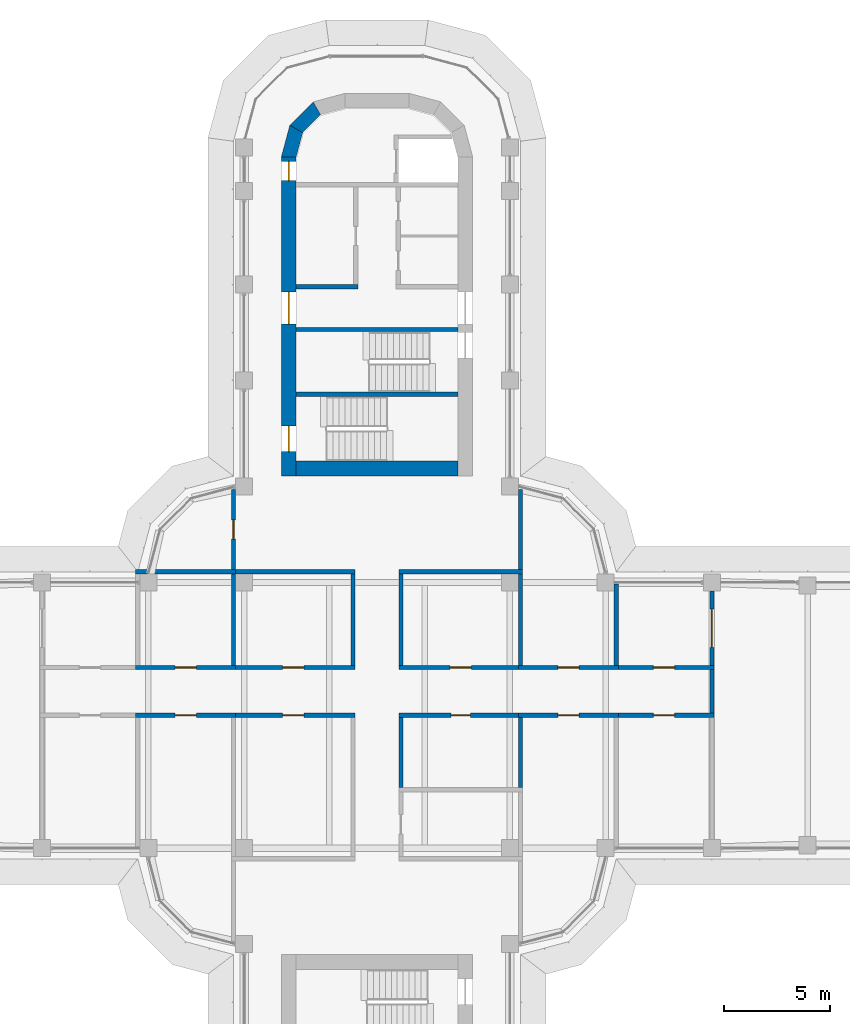
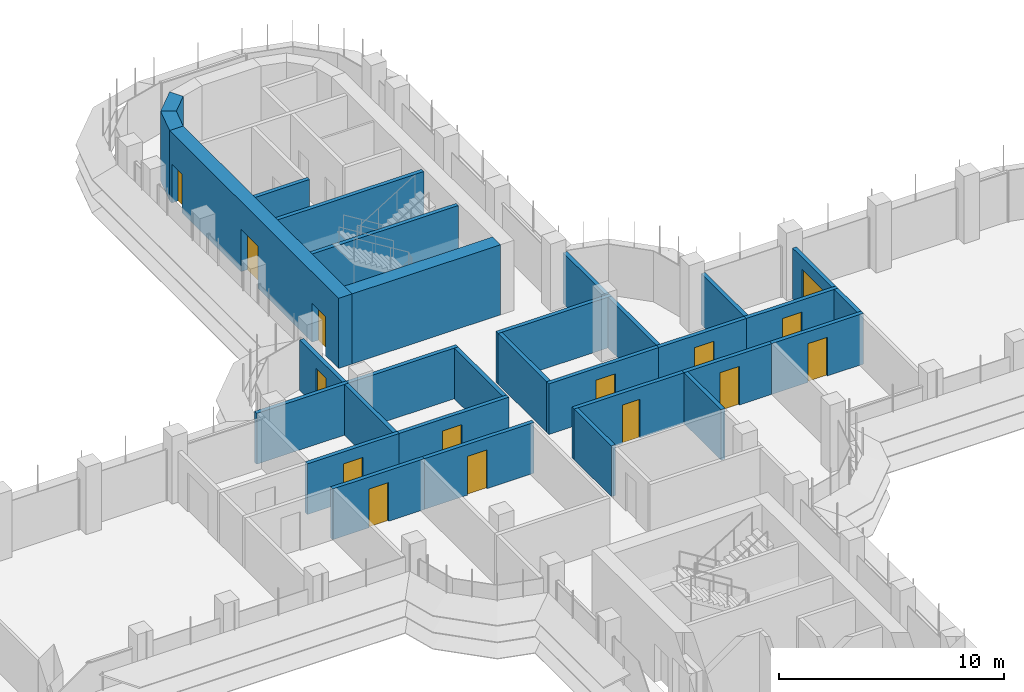
# One storey, part 15 of 20: 31 walls, 15 doors, 15 openings.
"""IFC4 building model written with IfcOpenShell, lengths in metres."""

from ifc_helpers import new_model, si_unit, direction, frame, frame_2d, origin, place, context, subcontext, project, spatial, polyline, rectangle, outline, extrude, material, layer, layer_set, type_object, element, fill, save


model = new_model("IFC4")

# Units and contexts
model_context = context("Model", 3, precision=1e-05, world=origin(), true_north=direction((0.0, 1.0)))
body_context = subcontext(model_context, "Body", "Model", "MODEL_VIEW")
ifc_project = project(units=[si_unit("LENGTHUNIT", "METRE"), si_unit("AREAUNIT", "SQUARE_METRE"), si_unit("VOLUMEUNIT", "CUBIC_METRE"), si_unit("PLANEANGLEUNIT", "RADIAN"), si_unit("MASSUNIT", "GRAM", prefix="KILO")], contexts=[model_context])

# Site, building, storey
site_placement = place(None, origin())
site = spatial("IfcSite", under=ifc_project, at=site_placement, CompositionType="ELEMENT")
building_placement = place(site_placement, origin())
building = spatial("IfcBuilding", under=site, at=building_placement, Name="Zarbagh Exchange Tower", CompositionType="ELEMENT")
storey_placement = place(building_placement, frame((0.0, 0.0, 152.39990234375)))
storey = spatial("IfcBuildingStorey", under=building, at=storey_placement, Name="L36", CompositionType="ELEMENT", Elevation=152.39990234375)

# Wall, opening, door
ifc_material_1 = material(Name="Fire-rated plasterboard partition")
ifc_layer_1 = layer(ifc_material_1, 0.199951171875)
ifc_layer_set_1 = layer_set([ifc_layer_1], Name="RATED PARTITION 200")
wall_type_1 = type_object("IfcWallType", Name="RATED PARTITION 200", PredefinedType="PARTITIONING", material=ifc_layer_set_1)
wall_1_placement = place(storey_placement, frame((1.02490234375, 2.25, 0.0), z_axis=(0.0, 0.0, 1.0), x_axis=(1.0, 0.0, 0.0)))
wall_1 = element("IfcWall", 1, at=wall_1_placement, inside=storey, type_object=wall_type_1, Name="Partition W-1501", PredefinedType="PARTITIONING", context=body_context, shape_type="SweptSolid", body=[
    extrude(rectangle(XDim=5.8251953125, YDim=0.199951171875, at=frame_2d((2.91259765625, 0.0))), origin(), (0.0, 0.0, 1.0), 2.75),
])
opening_1_placement = place(wall_1_placement, frame((2.41259765625, 0.0, 0.0)))
opening_1 = element("IfcOpeningElement", 2, at=opening_1_placement, cuts=wall_1, Name="Opening D-1504", PredefinedType="OPENING", context=body_context, shape_type="SweptSolid", body=[
    extrude(rectangle(XDim=1.0, YDim=2.10009765625, at=frame_2d((0.5, 1.050048828125))), frame((0.0, 0.10986328125, 0.0), z_axis=(0.0, -1.0, 0.0), x_axis=(1.0, 0.0, 0.0)), (0.0, 0.0, 1.0), 0.219970703125),
])
ifc_material_2 = material(Name="Steel door set", Category="steel")
door_type_1 = type_object("IfcDoorType", Name="FIRE DOOR 1000 X 2100 FD30S", OperationType="NOTDEFINED", PredefinedType="DOOR", material=ifc_material_2)
door_1_placement = place(opening_1_placement, origin())
door_1 = element("IfcDoor", 3, at=door_1_placement, inside=storey, type_object=door_type_1, Name="Door D-1504", OperationType="SINGLE_SWING_RIGHT", OverallHeight=2.10009765625, OverallWidth=1.0, PredefinedType="DOOR", context=body_context, shape_type="SweptSolid", body=[
    extrude(rectangle(XDim=1.0, YDim=2.10009765625, at=frame_2d((0.5, 1.050048828125))), frame((0.0, 0.02490234375, 0.0), z_axis=(0.0, -1.0, 0.0), x_axis=(1.0, 0.0, 0.0)), (0.0, 0.0, 1.0), 0.050048828125),
])
fill(opening_1, door_1)

wall_2_placement = place(storey_placement, frame((6.64990234375, 2.25, 0.0), z_axis=(0.0, 0.0, 1.0), x_axis=(1.0, 0.0, 0.0)))
wall_2 = element("IfcWall", 4, at=wall_2_placement, inside=storey, type_object=wall_type_1, Name="Partition W-1502", PredefinedType="PARTITIONING", context=body_context, shape_type="SweptSolid", body=[
    extrude(rectangle(XDim=4.7001953125, YDim=0.199951171875, at=frame_2d((2.35009765625, 0.0))), origin(), (0.0, 0.0, 1.0), 2.75),
])
opening_2_placement = place(wall_2_placement, frame((1.85009765625, 0.0, 0.0)))
opening_2 = element("IfcOpeningElement", 5, at=opening_2_placement, cuts=wall_2, Name="Opening D-1505", PredefinedType="OPENING", context=body_context, shape_type="SweptSolid", body=[
    extrude(rectangle(XDim=1.0, YDim=2.10009765625, at=frame_2d((0.5, 1.050048828125))), frame((0.0, 0.10986328125, 0.0), z_axis=(0.0, -1.0, 0.0), x_axis=(1.0, 0.0, 0.0)), (0.0, 0.0, 1.0), 0.219970703125),
])
door_2_placement = place(opening_2_placement, origin())
door_2 = element("IfcDoor", 6, at=door_2_placement, inside=storey, type_object=door_type_1, Name="Door D-1505", OperationType="SINGLE_SWING_RIGHT", OverallHeight=2.10009765625, OverallWidth=1.0, PredefinedType="DOOR", context=body_context, shape_type="SweptSolid", body=[
    extrude(rectangle(XDim=1.0, YDim=2.10009765625, at=frame_2d((0.5, 1.050048828125))), frame((0.0, 0.02490234375, 0.0), z_axis=(0.0, -1.0, 0.0), x_axis=(1.0, 0.0, 0.0)), (0.0, 0.0, 1.0), 0.050048828125),
])
fill(opening_2, door_2)

wall_3_placement = place(storey_placement, frame((-6.85009765625, 2.25, 0.0), z_axis=(0.0, 0.0, 1.0), x_axis=(1.0, 0.0, 0.0)))
wall_3 = element("IfcWall", 7, at=wall_3_placement, inside=storey, type_object=wall_type_1, Name="Partition W-1503", PredefinedType="PARTITIONING", context=body_context, shape_type="SweptSolid", body=[
    extrude(rectangle(XDim=5.8251953125, YDim=0.199951171875, at=frame_2d((2.91259765625, 0.0))), origin(), (0.0, 0.0, 1.0), 2.75),
])
opening_3_placement = place(wall_3_placement, frame((2.41259765625, 0.0, 0.0)))
opening_3 = element("IfcOpeningElement", 8, at=opening_3_placement, cuts=wall_3, Name="Opening D-1506", PredefinedType="OPENING", context=body_context, shape_type="SweptSolid", body=[
    extrude(rectangle(XDim=1.0, YDim=2.10009765625, at=frame_2d((0.5, 1.050048828125))), frame((0.0, 0.10986328125, 0.0), z_axis=(0.0, -1.0, 0.0), x_axis=(1.0, 0.0, 0.0)), (0.0, 0.0, 1.0), 0.219970703125),
])
door_3_placement = place(opening_3_placement, origin())
door_3 = element("IfcDoor", 9, at=door_3_placement, inside=storey, type_object=door_type_1, Name="Door D-1506", OperationType="SINGLE_SWING_RIGHT", OverallHeight=2.10009765625, OverallWidth=1.0, PredefinedType="DOOR", context=body_context, shape_type="SweptSolid", body=[
    extrude(rectangle(XDim=1.0, YDim=2.10009765625, at=frame_2d((0.5, 1.050048828125))), frame((0.0, 0.02490234375, 0.0), z_axis=(0.0, -1.0, 0.0), x_axis=(1.0, 0.0, 0.0)), (0.0, 0.0, 1.0), 0.050048828125),
])
fill(opening_3, door_3)

wall_4_placement = place(storey_placement, frame((-11.35009765625, 2.25, 0.0), z_axis=(0.0, 0.0, 1.0), x_axis=(1.0, 0.0, 0.0)))
wall_4 = element("IfcWall", 10, at=wall_4_placement, inside=storey, type_object=wall_type_1, Name="Partition W-1504", PredefinedType="PARTITIONING", context=body_context, shape_type="SweptSolid", body=[
    extrude(rectangle(XDim=4.7001953125, YDim=0.199951171875, at=frame_2d((2.35009765625, 0.0))), origin(), (0.0, 0.0, 1.0), 2.75),
])
opening_4_placement = place(wall_4_placement, frame((1.85009765625, 0.0, 0.0)))
opening_4 = element("IfcOpeningElement", 11, at=opening_4_placement, cuts=wall_4, Name="Opening D-1507", PredefinedType="OPENING", context=body_context, shape_type="SweptSolid", body=[
    extrude(rectangle(XDim=1.0, YDim=2.10009765625, at=frame_2d((0.5, 1.050048828125))), frame((0.0, 0.10986328125, 0.0), z_axis=(0.0, -1.0, 0.0), x_axis=(1.0, 0.0, 0.0)), (0.0, 0.0, 1.0), 0.219970703125),
])
door_4_placement = place(opening_4_placement, origin())
door_4 = element("IfcDoor", 12, at=door_4_placement, inside=storey, type_object=door_type_1, Name="Door D-1507", OperationType="SINGLE_SWING_RIGHT", OverallHeight=2.10009765625, OverallWidth=1.0, PredefinedType="DOOR", context=body_context, shape_type="SweptSolid", body=[
    extrude(rectangle(XDim=1.0, YDim=2.10009765625, at=frame_2d((0.5, 1.050048828125))), frame((0.0, 0.02490234375, 0.0), z_axis=(0.0, -1.0, 0.0), x_axis=(1.0, 0.0, 0.0)), (0.0, 0.0, 1.0), 0.050048828125),
])
fill(opening_4, door_4)

wall_5_placement = place(storey_placement, frame((6.85009765625, 0.0, 0.0), z_axis=(0.0, 0.0, 1.0), x_axis=(-1.0, 0.0, 0.0)))
wall_5 = element("IfcWall", 13, at=wall_5_placement, inside=storey, type_object=wall_type_1, Name="Partition W-1505", PredefinedType="PARTITIONING", context=body_context, shape_type="SweptSolid", body=[
    extrude(rectangle(XDim=5.8251953125, YDim=0.199951171875, at=frame_2d((2.91259765625, 0.0))), origin(), (0.0, 0.0, 1.0), 2.75),
])
opening_5_placement = place(wall_5_placement, frame((2.46240234375, 0.0, 0.0)))
opening_5 = element("IfcOpeningElement", 14, at=opening_5_placement, cuts=wall_5, Name="Opening D-1509", PredefinedType="OPENING", context=body_context, shape_type="SweptSolid", body=[
    extrude(rectangle(XDim=0.89990234375, YDim=2.10009765625, at=frame_2d((0.449951171875, 1.050048828125))), frame((0.0, 0.10986328125, 0.0), z_axis=(0.0, -1.0, 0.0), x_axis=(1.0, 0.0, 0.0)), (0.0, 0.0, 1.0), 0.219970703125),
])
ifc_material_3 = material(Name="Timber door leaf", Category="wood")
door_type_2 = type_object("IfcDoorType", Name="DOOR 900 X 2100", OperationType="NOTDEFINED", PredefinedType="DOOR", material=ifc_material_3)
door_5_placement = place(opening_5_placement, origin())
door_5 = element("IfcDoor", 15, at=door_5_placement, inside=storey, type_object=door_type_2, Name="Door D-1509", OperationType="SINGLE_SWING_RIGHT", OverallHeight=2.10009765625, OverallWidth=0.89990234375, PredefinedType="DOOR", context=body_context, shape_type="SweptSolid", body=[
    extrude(rectangle(XDim=0.89990234375, YDim=2.10009765625, at=frame_2d((0.449951171875, 1.050048828125))), frame((0.0, 0.02490234375, 0.0), z_axis=(0.0, -1.0, 0.0), x_axis=(1.0, 0.0, 0.0)), (0.0, 0.0, 1.0), 0.050048828125),
])
fill(opening_5, door_5)

wall_6_placement = place(storey_placement, frame((11.35009765625, 0.0, 0.0), z_axis=(0.0, 0.0, 1.0), x_axis=(-1.0, 0.0, 0.0)))
wall_6 = element("IfcWall", 16, at=wall_6_placement, inside=storey, type_object=wall_type_1, Name="Partition W-1506", PredefinedType="PARTITIONING", context=body_context, shape_type="SweptSolid", body=[
    extrude(rectangle(XDim=4.7001953125, YDim=0.199951171875, at=frame_2d((2.35009765625, 0.0))), origin(), (0.0, 0.0, 1.0), 2.75),
])
opening_6_placement = place(wall_6_placement, frame((1.85009765625, 0.0, 0.0)))
opening_6 = element("IfcOpeningElement", 17, at=opening_6_placement, cuts=wall_6, Name="Opening D-1511", PredefinedType="OPENING", context=body_context, shape_type="SweptSolid", body=[
    extrude(rectangle(XDim=1.0, YDim=2.10009765625, at=frame_2d((0.5, 1.050048828125))), frame((0.0, 0.10986328125, 0.0), z_axis=(0.0, -1.0, 0.0), x_axis=(1.0, 0.0, 0.0)), (0.0, 0.0, 1.0), 0.219970703125),
])
door_6_placement = place(opening_6_placement, origin())
door_6 = element("IfcDoor", 18, at=door_6_placement, inside=storey, type_object=door_type_1, Name="Door D-1511", OperationType="SINGLE_SWING_RIGHT", OverallHeight=2.10009765625, OverallWidth=1.0, PredefinedType="DOOR", context=body_context, shape_type="SweptSolid", body=[
    extrude(rectangle(XDim=1.0, YDim=2.10009765625, at=frame_2d((0.5, 1.050048828125))), frame((0.0, 0.02490234375, 0.0), z_axis=(0.0, -1.0, 0.0), x_axis=(1.0, 0.0, 0.0)), (0.0, 0.0, 1.0), 0.050048828125),
])
fill(opening_6, door_6)

wall_7_placement = place(storey_placement, frame((-1.02490234375, 0.0, 0.0), z_axis=(0.0, 0.0, 1.0), x_axis=(-1.0, 0.0, 0.0)))
wall_7 = element("IfcWall", 19, at=wall_7_placement, inside=storey, type_object=wall_type_1, Name="Partition W-1507", PredefinedType="PARTITIONING", context=body_context, shape_type="SweptSolid", body=[
    extrude(rectangle(XDim=5.8251953125, YDim=0.199951171875, at=frame_2d((2.91259765625, 0.0))), origin(), (0.0, 0.0, 1.0), 2.75),
])
opening_7_placement = place(wall_7_placement, frame((2.41259765625, 0.0, 0.0)))
opening_7 = element("IfcOpeningElement", 20, at=opening_7_placement, cuts=wall_7, Name="Opening D-1512", PredefinedType="OPENING", context=body_context, shape_type="SweptSolid", body=[
    extrude(rectangle(XDim=1.0, YDim=2.10009765625, at=frame_2d((0.5, 1.050048828125))), frame((0.0, 0.10986328125, 0.0), z_axis=(0.0, -1.0, 0.0), x_axis=(1.0, 0.0, 0.0)), (0.0, 0.0, 1.0), 0.219970703125),
])
door_7_placement = place(opening_7_placement, origin())
door_7 = element("IfcDoor", 21, at=door_7_placement, inside=storey, type_object=door_type_1, Name="Door D-1512", OperationType="SINGLE_SWING_RIGHT", OverallHeight=2.10009765625, OverallWidth=1.0, PredefinedType="DOOR", context=body_context, shape_type="SweptSolid", body=[
    extrude(rectangle(XDim=1.0, YDim=2.10009765625, at=frame_2d((0.5, 1.050048828125))), frame((0.0, 0.02490234375, 0.0), z_axis=(0.0, -1.0, 0.0), x_axis=(1.0, 0.0, 0.0)), (0.0, 0.0, 1.0), 0.050048828125),
])
fill(opening_7, door_7)

wall_8_placement = place(storey_placement, frame((-6.64990234375, 0.0, 0.0), z_axis=(0.0, 0.0, 1.0), x_axis=(-1.0, 0.0, 0.0)))
wall_8 = element("IfcWall", 22, at=wall_8_placement, inside=storey, type_object=wall_type_1, Name="Partition W-1508", PredefinedType="PARTITIONING", context=body_context, shape_type="SweptSolid", body=[
    extrude(rectangle(XDim=4.7001953125, YDim=0.199951171875, at=frame_2d((2.35009765625, 0.0))), origin(), (0.0, 0.0, 1.0), 2.75),
])
opening_8_placement = place(wall_8_placement, frame((1.85009765625, 0.0, 0.0)))
opening_8 = element("IfcOpeningElement", 23, at=opening_8_placement, cuts=wall_8, Name="Opening D-1513", PredefinedType="OPENING", context=body_context, shape_type="SweptSolid", body=[
    extrude(rectangle(XDim=1.0, YDim=2.10009765625, at=frame_2d((0.5, 1.050048828125))), frame((0.0, 0.10986328125, 0.0), z_axis=(0.0, -1.0, 0.0), x_axis=(1.0, 0.0, 0.0)), (0.0, 0.0, 1.0), 0.219970703125),
])
door_8_placement = place(opening_8_placement, origin())
door_8 = element("IfcDoor", 24, at=door_8_placement, inside=storey, type_object=door_type_1, Name="Door D-1513", OperationType="SINGLE_SWING_RIGHT", OverallHeight=2.10009765625, OverallWidth=1.0, PredefinedType="DOOR", context=body_context, shape_type="SweptSolid", body=[
    extrude(rectangle(XDim=1.0, YDim=2.10009765625, at=frame_2d((0.5, 1.050048828125))), frame((0.0, 0.02490234375, 0.0), z_axis=(0.0, -1.0, 0.0), x_axis=(1.0, 0.0, 0.0)), (0.0, 0.0, 1.0), 0.050048828125),
])
fill(opening_8, door_8)

wall_9_placement = place(storey_placement, frame((11.14990234375, 2.25, 0.0), z_axis=(0.0, 0.0, 1.0), x_axis=(1.0, 0.0, 0.0)))
wall_9 = element("IfcWall", 25, at=wall_9_placement, inside=storey, type_object=wall_type_1, Name="Partition W-1509", PredefinedType="PARTITIONING", context=body_context, shape_type="SweptSolid", body=[
    extrude(rectangle(XDim=4.7001953125, YDim=0.199951171875, at=frame_2d((2.35009765625, 0.0))), origin(), (0.0, 0.0, 1.0), 2.75),
])
opening_9_placement = place(wall_9_placement, frame((1.85009765625, 0.0, 0.0)))
opening_9 = element("IfcOpeningElement", 26, at=opening_9_placement, cuts=wall_9, Name="Opening D-1502", PredefinedType="OPENING", context=body_context, shape_type="SweptSolid", body=[
    extrude(rectangle(XDim=1.0, YDim=2.10009765625, at=frame_2d((0.5, 1.050048828125))), frame((0.0, 0.10986328125, 0.0), z_axis=(0.0, -1.0, 0.0), x_axis=(1.0, 0.0, 0.0)), (0.0, 0.0, 1.0), 0.219970703125),
])
door_9_placement = place(opening_9_placement, origin())
door_9 = element("IfcDoor", 27, at=door_9_placement, inside=storey, type_object=door_type_1, Name="Door D-1502", OperationType="SINGLE_SWING_RIGHT", OverallHeight=2.10009765625, OverallWidth=1.0, PredefinedType="DOOR", context=body_context, shape_type="SweptSolid", body=[
    extrude(rectangle(XDim=1.0, YDim=2.10009765625, at=frame_2d((0.5, 1.050048828125))), frame((0.0, 0.02490234375, 0.0), z_axis=(0.0, -1.0, 0.0), x_axis=(1.0, 0.0, 0.0)), (0.0, 0.0, 1.0), 0.050048828125),
])
fill(opening_9, door_9)

wall_10_placement = place(storey_placement, frame((15.85009765625, 0.0, 0.0), z_axis=(0.0, 0.0, 1.0), x_axis=(-1.0, 0.0, 0.0)))
wall_10 = element("IfcWall", 28, at=wall_10_placement, inside=storey, type_object=wall_type_1, Name="Partition W-1510", PredefinedType="PARTITIONING", context=body_context, shape_type="SweptSolid", body=[
    extrude(rectangle(XDim=4.7001953125, YDim=0.199951171875, at=frame_2d((2.35009765625, 0.0))), origin(), (0.0, 0.0, 1.0), 2.75),
])
opening_10_placement = place(wall_10_placement, frame((1.85009765625, 0.0, 0.0)))
opening_10 = element("IfcOpeningElement", 29, at=opening_10_placement, cuts=wall_10, Name="Opening D-1503", PredefinedType="OPENING", context=body_context, shape_type="SweptSolid", body=[
    extrude(rectangle(XDim=1.0, YDim=2.10009765625, at=frame_2d((0.5, 1.050048828125))), frame((0.0, 0.10986328125, 0.0), z_axis=(0.0, -1.0, 0.0), x_axis=(1.0, 0.0, 0.0)), (0.0, 0.0, 1.0), 0.219970703125),
])
door_10_placement = place(opening_10_placement, origin())
door_10 = element("IfcDoor", 30, at=door_10_placement, inside=storey, type_object=door_type_1, Name="Door D-1503", OperationType="SINGLE_SWING_RIGHT", OverallHeight=2.10009765625, OverallWidth=1.0, PredefinedType="DOOR", context=body_context, shape_type="SweptSolid", body=[
    extrude(rectangle(XDim=1.0, YDim=2.10009765625, at=frame_2d((0.5, 1.050048828125))), frame((0.0, 0.02490234375, 0.0), z_axis=(0.0, -1.0, 0.0), x_axis=(1.0, 0.0, 0.0)), (0.0, 0.0, 1.0), 0.050048828125),
])
fill(opening_10, door_10)

# Walls
wall_11_placement = place(storey_placement, frame((15.75, 0.10009765625, 0.0), z_axis=(0.0, 0.0, 1.0), x_axis=(0.0, 1.0, 0.0)))
element("IfcWall", 31, at=wall_11_placement, inside=storey, type_object=wall_type_1, Name="Partition W-1511", PredefinedType="PARTITIONING", context=body_context, shape_type="SweptSolid", body=[
    extrude(rectangle(XDim=2.0498046875, YDim=0.199951171875, at=frame_2d((1.02490234375, 0.0))), origin(), (0.0, 0.0, 1.0), 2.75),
])
for number, where, z_axis, x_axis, name in (
    (32, (1.125, 2.35009765625, 0.0), (0.0, 0.0, 1.0), (0.0, 1.0, 0.0), "Partition W-1515"),
    (33, (-1.125, 2.35009765625, 0.0), (0.0, 0.0, 1.0), (0.0, 1.0, 0.0), "Partition W-1516"),
):
    element("IfcWall", number, at=place(storey_placement, frame(where, z_axis=z_axis, x_axis=x_axis)), inside=storey, type_object=wall_type_1, Name=name, PredefinedType="PARTITIONING", context=body_context, shape_type="SweptSolid", body=[
        extrude(rectangle(XDim=4.2998046875, YDim=0.199951171875, at=frame_2d((2.14990234375, 0.0))), origin(), (0.0, 0.0, 1.0), 2.75),
    ])
wall_12_placement = place(storey_placement, frame((1.125, -3.39990234375, 0.0), z_axis=(0.0, 0.0, 1.0), x_axis=(0.0, 1.0, 0.0)))
element("IfcWall", 34, at=wall_12_placement, inside=storey, type_object=wall_type_1, Name="Partition W-1517", PredefinedType="PARTITIONING", context=body_context, shape_type="SweptSolid", body=[
    extrude(rectangle(XDim=3.2998046875, YDim=0.199951171875, at=frame_2d((1.64990234375, 0.0))), origin(), (0.0, 0.0, 1.0), 2.75),
])
wall_13_placement = place(storey_placement, frame((1.02490234375, 6.75, 0.0), z_axis=(0.0, 0.0, 1.0), x_axis=(1.0, 0.0, 0.0)))
element("IfcWall", 35, at=wall_13_placement, inside=storey, type_object=wall_type_1, Name="Partition W-1520", PredefinedType="PARTITIONING", context=body_context, shape_type="SweptSolid", body=[
    extrude(rectangle(XDim=5.8251953125, YDim=0.199951171875, at=frame_2d((2.91259765625, 0.0))), origin(), (0.0, 0.0, 1.0), 2.75),
])
wall_14_placement = place(storey_placement, frame((6.75, 6.85009765625, 0.0), z_axis=(0.0, 0.0, 1.0), x_axis=(0.0, 1.0, 0.0)))
element("IfcWall", 36, at=wall_14_placement, inside=storey, type_object=wall_type_1, Name="Partition W-1521", PredefinedType="PARTITIONING", context=body_context, shape_type="SweptSolid", body=[
    extrude(rectangle(XDim=3.77978515625, YDim=0.199951171875, at=frame_2d((1.889892578125, 0.0))), origin(), (0.0, 0.0, 1.0), 2.75),
])
wall_15_placement = place(storey_placement, frame((-6.85009765625, 6.75, 0.0), z_axis=(0.0, 0.0, 1.0), x_axis=(1.0, 0.0, 0.0)))
element("IfcWall", 37, at=wall_15_placement, inside=storey, type_object=wall_type_1, Name="Partition W-1522", PredefinedType="PARTITIONING", context=body_context, shape_type="SweptSolid", body=[
    extrude(rectangle(XDim=5.8251953125, YDim=0.199951171875, at=frame_2d((2.91259765625, 0.0))), origin(), (0.0, 0.0, 1.0), 2.75),
])

# Wall, opening, door
wall_16_placement = place(storey_placement, frame((-6.75, 6.85009765625, 0.0), z_axis=(0.0, 0.0, 1.0), x_axis=(0.0, 1.0, 0.0)))
wall_16 = element("IfcWall", 38, at=wall_16_placement, inside=storey, type_object=wall_type_1, Name="Partition W-1523", PredefinedType="PARTITIONING", context=body_context, shape_type="SweptSolid", body=[
    extrude(rectangle(XDim=3.77978515625, YDim=0.199951171875, at=frame_2d((1.889892578125, 0.0))), origin(), (0.0, 0.0, 1.0), 2.75),
])
opening_11_placement = place(wall_16_placement, frame((1.43994140625, 0.0, 0.0)))
opening_11 = element("IfcOpeningElement", 39, at=opening_11_placement, cuts=wall_16, Name="Opening D-1508", PredefinedType="OPENING", context=body_context, shape_type="SweptSolid", body=[
    extrude(rectangle(XDim=0.89990234375, YDim=2.10009765625, at=frame_2d((0.449951171875, 1.050048828125))), frame((0.0, 0.10986328125, 0.0), z_axis=(0.0, -1.0, 0.0), x_axis=(1.0, 0.0, 0.0)), (0.0, 0.0, 1.0), 0.219970703125),
])
door_11_placement = place(opening_11_placement, origin())
door_11 = element("IfcDoor", 40, at=door_11_placement, inside=storey, type_object=door_type_2, Name="Door D-1508", OperationType="SINGLE_SWING_LEFT", OverallHeight=2.10009765625, OverallWidth=0.89990234375, PredefinedType="DOOR", context=body_context, shape_type="SweptSolid", body=[
    extrude(rectangle(XDim=0.89990234375, YDim=2.10009765625, at=frame_2d((0.449951171875, 1.050048828125))), frame((0.0, 0.02490234375, 0.0), z_axis=(0.0, -1.0, 0.0), x_axis=(1.0, 0.0, 0.0)), (0.0, 0.0, 1.0), 0.050048828125),
])
fill(opening_11, door_11)

# Walls
wall_17_placement = place(storey_placement, frame((6.75, 2.35009765625, 0.0), z_axis=(0.0, 0.0, 1.0), x_axis=(0.0, 1.0, 0.0)))
element("IfcWall", 41, at=wall_17_placement, inside=storey, type_object=wall_type_1, Name="Partition W-1528", PredefinedType="PARTITIONING", context=body_context, shape_type="SweptSolid", body=[
    extrude(rectangle(XDim=4.2998046875, YDim=0.199951171875, at=frame_2d((2.14990234375, 0.0))), origin(), (0.0, 0.0, 1.0), 2.75),
])
wall_18_placement = place(storey_placement, frame((11.25, 2.35009765625, 0.0), z_axis=(0.0, 0.0, 1.0), x_axis=(0.0, 1.0, 0.0)))
element("IfcWall", 42, at=wall_18_placement, inside=storey, type_object=wall_type_1, Name="Partition W-1529", PredefinedType="PARTITIONING", context=body_context, shape_type="SweptSolid", body=[
    extrude(rectangle(XDim=3.81982421875, YDim=0.199951171875, at=frame_2d((1.909912109375, 0.0))), origin(), (0.0, 0.0, 1.0), 2.75),
])
wall_19_placement = place(storey_placement, frame((-6.75, 2.35009765625, 0.0), z_axis=(0.0, 0.0, 1.0), x_axis=(0.0, 1.0, 0.0)))
element("IfcWall", 43, at=wall_19_placement, inside=storey, type_object=wall_type_1, Name="Partition W-1530", PredefinedType="PARTITIONING", context=body_context, shape_type="SweptSolid", body=[
    extrude(rectangle(XDim=4.2998046875, YDim=0.199951171875, at=frame_2d((2.14990234375, 0.0))), origin(), (0.0, 0.0, 1.0), 2.75),
])
wall_20_placement = place(storey_placement, frame((-11.35009765625, 6.75, 0.0), z_axis=(0.0, 0.0, 1.0), x_axis=(1.0, 0.0, 0.0)))
element("IfcWall", 44, at=wall_20_placement, inside=storey, type_object=wall_type_1, Name="Partition W-1531", PredefinedType="PARTITIONING", context=body_context, shape_type="SweptSolid", body=[
    extrude(rectangle(XDim=4.7001953125, YDim=0.199951171875, at=frame_2d((2.35009765625, 0.0))), origin(), (0.0, 0.0, 1.0), 2.75),
])
wall_21_placement = place(storey_placement, frame((6.75, -3.39990234375, 0.0), z_axis=(0.0, 0.0, 1.0), x_axis=(0.0, 1.0, 0.0)))
element("IfcWall", 45, at=wall_21_placement, inside=storey, type_object=wall_type_1, Name="Partition W-1534", PredefinedType="PARTITIONING", context=body_context, shape_type="SweptSolid", body=[
    extrude(rectangle(XDim=3.2998046875, YDim=0.199951171875, at=frame_2d((1.64990234375, 0.0))), origin(), (0.0, 0.0, 1.0), 2.75),
])

# Wall, opening, door
wall_22_placement = place(storey_placement, frame((15.75, 5.85009765625, 0.0), z_axis=(0.0, 0.0, 1.0), x_axis=(0.0, -1.0, 0.0)))
wall_22 = element("IfcWall", 46, at=wall_22_placement, inside=storey, type_object=wall_type_1, Name="Partition W-1539", PredefinedType="PARTITIONING", context=body_context, shape_type="SweptSolid", body=[
    extrude(rectangle(XDim=3.5, YDim=0.199951171875, at=frame_2d((1.75, 0.0))), origin(), (0.0, 0.0, 1.0), 2.75),
])
opening_12_placement = place(wall_22_placement, frame((0.85009765625, 0.0, 0.0)))
opening_12 = element("IfcOpeningElement", 47, at=opening_12_placement, cuts=wall_22, Name="Opening D-1501", PredefinedType="OPENING", context=body_context, shape_type="SweptSolid", body=[
    extrude(rectangle(XDim=1.800048828125, YDim=2.10009765625, at=frame_2d((0.89990234375, 1.050048828125))), frame((0.0, 0.10986328125, 0.0), z_axis=(0.0, -1.0, 0.0), x_axis=(1.0, 0.0, 0.0)), (0.0, 0.0, 1.0), 0.219970703125),
])
door_type_3 = type_object("IfcDoorType", Name="FIRE DOUBLE DOOR 1800 X 2100 FD30S", OperationType="DOUBLE_DOOR_SINGLE_SWING", PredefinedType="DOOR", material=ifc_material_2)
door_12_placement = place(opening_12_placement, origin())
door_12 = element("IfcDoor", 48, at=door_12_placement, inside=storey, type_object=door_type_3, Name="Door D-1501", OperationType="DOUBLE_DOOR_SINGLE_SWING", OverallHeight=2.10009765625, OverallWidth=1.800048828125, PredefinedType="DOOR", context=body_context, shape_type="SweptSolid", body=[
    extrude(rectangle(XDim=1.800048828125, YDim=2.10009765625, at=frame_2d((0.89990234375, 1.050048828125))), frame((0.0, 0.02490234375, 0.0), z_axis=(0.0, -1.0, 0.0), x_axis=(1.0, 0.0, 0.0)), (0.0, 0.0, 1.0), 0.050048828125),
])
fill(opening_12, door_12)

# Walls
ifc_material_4 = material(Name="Concrete C50/60", Category="concrete")
ifc_layer_2 = layer(ifc_material_4, 0.699951171875)
ifc_layer_set_2 = layer_set([ifc_layer_2], Name="RC core corner wall 700 C50/60")
wall_type_2 = type_object("IfcWallType", Name="RC core corner wall 700 C50/60", PredefinedType="SHEAR", material=ifc_layer_set_2)
wall_23_placement = place(storey_placement, origin())
element("IfcWall", 49, at=wall_23_placement, inside=storey, type_object=wall_type_2, Name="CW6 core N corner W", PredefinedType="SHEAR", context=body_context, shape_type="SweptSolid", body=[
    extrude(outline(polyline([(-4.5, 26.25), (-4.09814453125, 27.75), (-3.491943359375, 27.39990234375), (-3.800048828125, 26.25), (-4.5, 26.25)])), origin(), (0.0, 0.0, 1.0), 3.800048828125),
])
wall_24_placement = place(storey_placement, origin())
element("IfcWall", 50, at=wall_24_placement, inside=storey, type_object=wall_type_2, Name="CW6 core N corner W", PredefinedType="SHEAR", context=body_context, shape_type="SweptSolid", body=[
    extrude(outline(polyline([(-4.09814453125, 27.75), (-3.0, 28.84814453125), (-2.64990234375, 28.241943359375), (-3.491943359375, 27.39990234375), (-4.09814453125, 27.75)])), origin(), (0.0, 0.0, 1.0), 3.800048828125),
])

# Wall, openings, doors
ifc_layer_3 = layer(ifc_material_4, 0.699951171875)
ifc_layer_set_3 = layer_set([ifc_layer_3], Name="RC core wall 700 C50/60")
wall_type_3 = type_object("IfcWallType", Name="RC core wall 700 C50/60", PredefinedType="SHEAR", material=ifc_layer_set_3)
wall_25_placement = place(storey_placement, frame((-4.14990234375, 11.25, 0.0), z_axis=(0.0, 0.0, 1.0), x_axis=(0.0, 1.0, 0.0)))
wall_25 = element("IfcWall", 51, at=wall_25_placement, inside=storey, type_object=wall_type_3, Name="CW5 core N W", PredefinedType="SHEAR", context=body_context, shape_type="SweptSolid", body=[
    extrude(rectangle(XDim=15.0, YDim=0.699951171875, at=frame_2d((7.5, 0.0))), origin(), (0.0, 0.0, 1.0), 3.800048828125),
])
opening_13_placement = place(wall_25_placement, frame((7.14990234375, 0.0, 0.0)))
opening_13 = element("IfcOpeningElement", 52, at=opening_13_placement, cuts=wall_25, Name="Opening CD1-1500", PredefinedType="OPENING", context=body_context, shape_type="SweptSolid", body=[
    extrude(rectangle(XDim=1.5, YDim=2.300048828125, at=frame_2d((0.75, 1.14990234375))), frame((0.0, 0.35986328125, 0.0), z_axis=(0.0, -1.0, 0.0), x_axis=(1.0, 0.0, 0.0)), (0.0, 0.0, 1.0), 0.719970703125),
])
opening_14_placement = place(wall_25_placement, frame((13.89990234375, 0.0, 0.0)))
opening_14 = element("IfcOpeningElement", 53, at=opening_14_placement, cuts=wall_25, Name="Opening CD2-900", PredefinedType="OPENING", context=body_context, shape_type="SweptSolid", body=[
    extrude(rectangle(XDim=0.89990234375, YDim=2.10009765625, at=frame_2d((0.449951171875, 1.050048828125))), frame((0.0, 0.35986328125, 0.0), z_axis=(0.0, -1.0, 0.0), x_axis=(1.0, 0.0, 0.0)), (0.0, 0.0, 1.0), 0.719970703125),
])
opening_15_placement = place(wall_25_placement, frame((1.14990234375, 0.0, 0.0)))
opening_15 = element("IfcOpeningElement", 54, at=opening_15_placement, cuts=wall_25, Name="Opening SD1-1200", PredefinedType="OPENING", context=body_context, shape_type="SweptSolid", body=[
    extrude(rectangle(XDim=1.199951171875, YDim=2.10009765625, at=frame_2d((0.60009765625, 1.050048828125))), frame((0.0, 0.35986328125, 0.0), z_axis=(0.0, -1.0, 0.0), x_axis=(1.0, 0.0, 0.0)), (0.0, 0.0, 1.0), 0.719970703125),
])
ifc_material_5 = material(Name="Steel", Category="steel")
door_type_4 = type_object("IfcDoorType", Name="Exit stair door 1200 x 2100", OperationType="NOTDEFINED", PredefinedType="DOOR", material=ifc_material_5)
door_13_placement = place(opening_15_placement, origin())
door_13 = element("IfcDoor", 55, at=door_13_placement, inside=storey, type_object=door_type_4, Name="North core stair door ST2", OperationType="SINGLE_SWING_RIGHT", OverallHeight=2.10009765625, OverallWidth=1.199951171875, PredefinedType="DOOR", context=body_context, shape_type="SweptSolid", body=[
    extrude(rectangle(XDim=1.199951171875, YDim=2.10009765625, at=frame_2d((0.60009765625, 1.050048828125))), frame((0.0, 0.02490234375, 0.0), z_axis=(0.0, -1.0, 0.0), x_axis=(1.0, 0.0, 0.0)), (0.0, 0.0, 1.0), 0.050048828125),
])
fill(opening_15, door_13)
door_type_5 = type_object("IfcDoorType", Name="Firefighting lobby door 900 x 2100", OperationType="NOTDEFINED", PredefinedType="DOOR", material=ifc_material_5)
door_14_placement = place(opening_14_placement, origin())
door_14 = element("IfcDoor", 56, at=door_14_placement, inside=storey, type_object=door_type_5, Name="North core firefighting lobby door FF-W", OperationType="SINGLE_SWING_LEFT", OverallHeight=2.10009765625, OverallWidth=0.89990234375, PredefinedType="DOOR", context=body_context, shape_type="SweptSolid", body=[
    extrude(rectangle(XDim=0.89990234375, YDim=2.10009765625, at=frame_2d((0.449951171875, 1.050048828125))), frame((0.0, 0.02490234375, 0.0), z_axis=(0.0, -1.0, 0.0), x_axis=(1.0, 0.0, 0.0)), (0.0, 0.0, 1.0), 0.050048828125),
])
fill(opening_14, door_14)
door_type_6 = type_object("IfcDoorType", Name="Lift lobby double door 1500 x 2300", OperationType="NOTDEFINED", PredefinedType="DOOR", material=ifc_material_5)
door_15_placement = place(opening_13_placement, origin())
door_15 = element("IfcDoor", 57, at=door_15_placement, inside=storey, type_object=door_type_6, Name="North core lift lobby door LOBBY-W", OperationType="DOUBLE_DOOR_SINGLE_SWING", OverallHeight=2.300048828125, OverallWidth=1.5, PredefinedType="DOOR", context=body_context, shape_type="SweptSolid", body=[
    extrude(rectangle(XDim=1.5, YDim=2.300048828125, at=frame_2d((0.75, 1.14990234375))), frame((0.0, 0.02490234375, 0.0), z_axis=(0.0, -1.0, 0.0), x_axis=(1.0, 0.0, 0.0)), (0.0, 0.0, 1.0), 0.050048828125),
])
fill(opening_13, door_15)

# Walls
wall_26_placement = place(storey_placement, frame((-3.800048828125, 11.60009765625, 0.0), z_axis=(0.0, 0.0, 1.0), x_axis=(1.0, 0.0, 0.0)))
element("IfcWall", 58, at=wall_26_placement, inside=storey, type_object=wall_type_3, Name="CW5 core N inner end", PredefinedType="SHEAR", context=body_context, shape_type="SweptSolid", body=[
    extrude(rectangle(XDim=7.60009765625, YDim=0.699951171875, at=frame_2d((3.800048828125, 0.0))), origin(), (0.0, 0.0, 1.0), 3.800048828125),
])
ifc_material_6 = material(Name="Dense blockwork", Category="masonry")
ifc_layer_4 = layer(ifc_material_6, 0.199951171875)
ifc_layer_set_4 = layer_set([ifc_layer_4], Name="Shaft wall 200 mm blockwork")
wall_type_4 = type_object("IfcWallType", Name="Shaft wall 200 mm blockwork", PredefinedType="PARTITIONING", material=ifc_layer_set_4)
wall_27_placement = place(storey_placement, frame((-3.800048828125, 20.14990234375, 0.0), z_axis=(0.0, 0.0, 1.0), x_axis=(1.0, 0.0, 0.0)))
element("IfcWall", 59, at=wall_27_placement, inside=storey, type_object=wall_type_4, Name="North core shaft wall AB-W", PredefinedType="PARTITIONING", context=body_context, shape_type="SweptSolid", body=[
    extrude(rectangle(XDim=2.900146484375, YDim=0.199951171875, at=frame_2d((1.4501953125, 0.0))), origin(), (0.0, 0.0, 1.0), 3.650146484375),
])
ifc_material_7 = material(Name="Concrete C40/50", Category="concrete")
ifc_layer_5 = layer(ifc_material_7, 0.199951171875)
ifc_layer_set_5 = layer_set([ifc_layer_5], Name="Stair enclosure wall 200 mm RC C40/50")
wall_type_5 = type_object("IfcWallType", Name="Stair enclosure wall 200 mm RC C40/50", PredefinedType="SHEAR", material=ifc_layer_set_5)
for number, where, z_axis, x_axis, name in (
    (60, (-3.800048828125, 18.14990234375, 0.0), (0.0, 0.0, 1.0), (1.0, 0.0, 0.0), "North core stair wall BS"),
    (61, (-3.800048828125, 15.10009765625, 0.0), (0.0, 0.0, 1.0), (1.0, 0.0, 0.0), "North core stair wall ST12"),
):
    element("IfcWall", number, at=place(storey_placement, frame(where, z_axis=z_axis, x_axis=x_axis)), inside=storey, type_object=wall_type_5, Name=name, PredefinedType="SHEAR", context=body_context, shape_type="SweptSolid", body=[
        extrude(rectangle(XDim=7.60009765625, YDim=0.199951171875, at=frame_2d((3.800048828125, 0.0))), origin(), (0.0, 0.0, 1.0), 3.650146484375),
    ])

save(model, "model.ifc")
